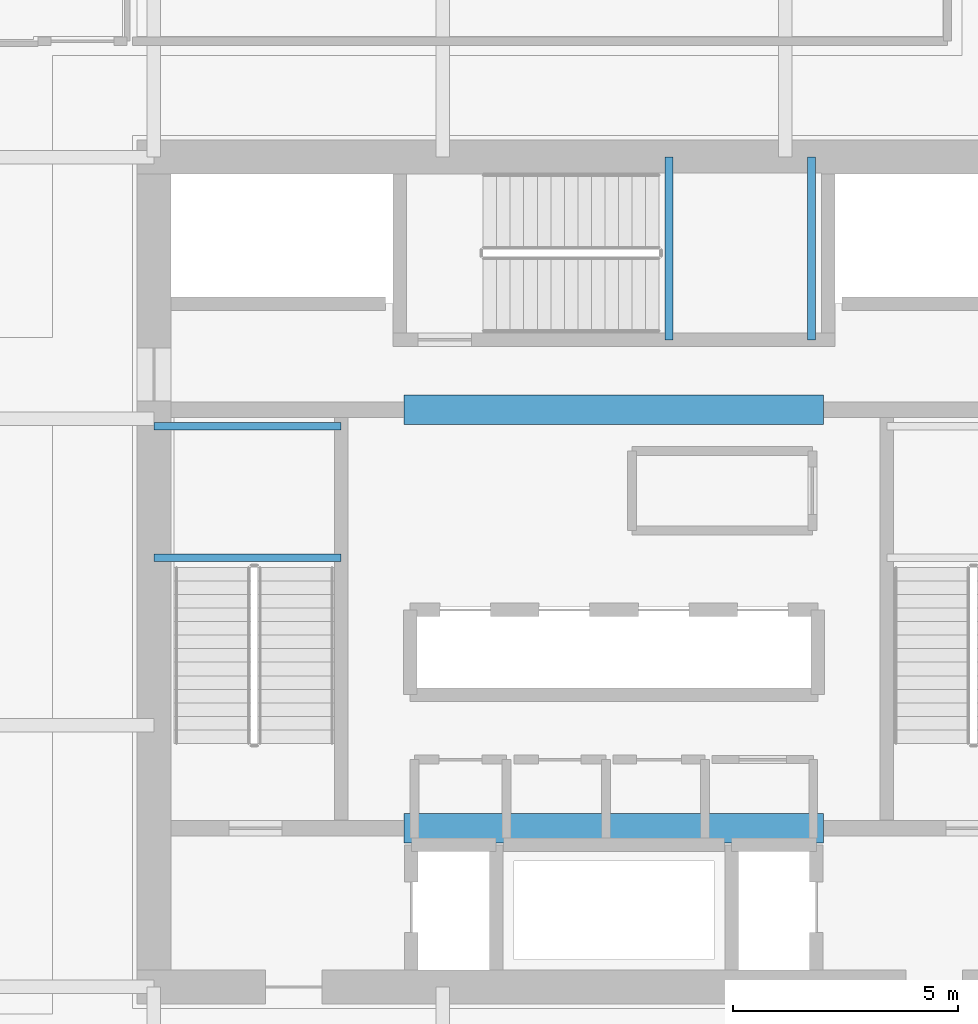
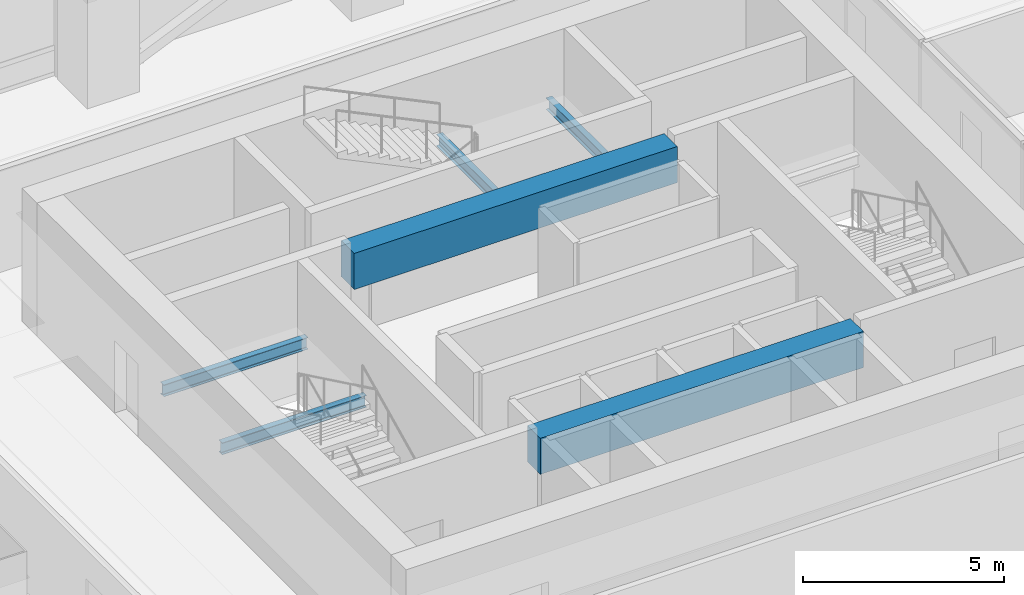
# One storey, part 11 of 37: 6 beams.
"""IFC4 building model written with IfcOpenShell, lengths in metres."""

from ifc_helpers import new_model, si_unit, direction, frame, origin, origin_2d, place, context, subcontext, project, spatial, rectangle, i_section, extrude, material, material_profile, profile_set, type_object, element, save


model = new_model("IFC4")

# Units and contexts
model_context = context("Model", 3, precision=1e-05, world=origin(), true_north=direction((0.0, 1.0)))
body_context = subcontext(model_context, "Body", "Model", "MODEL_VIEW")
ifc_project = project(units=[si_unit("LENGTHUNIT", "METRE"), si_unit("AREAUNIT", "SQUARE_METRE"), si_unit("VOLUMEUNIT", "CUBIC_METRE"), si_unit("PLANEANGLEUNIT", "RADIAN"), si_unit("MASSUNIT", "GRAM", prefix="KILO")], contexts=[model_context])

# Site, building, storey
site_placement = place(None, origin())
site = spatial("IfcSite", under=ifc_project, at=site_placement, CompositionType="ELEMENT")
building_placement = place(site_placement, origin())
building = spatial("IfcBuilding", under=site, at=building_placement, Name="Punatoya Terracotta Tower", CompositionType="ELEMENT")
storey_placement = place(building_placement, frame((0.0, 0.0, 44.39990234375)))
storey = spatial("IfcBuildingStorey", under=building, at=storey_placement, Name="L09", CompositionType="ELEMENT", Elevation=44.39990234375)

# Beams
ifc_material_1 = material(Name="Concrete C60/75", Category="concrete")
ifc_material_profile_1 = material_profile(ifc_material_1, rectangle(XDim=0.64990234375, YDim=1.10009765625, at=origin_2d()))
ifc_profile_set_1 = profile_set([ifc_material_profile_1], Name="Concrete C60/75")
beam_type_1 = type_object("IfcBeamType", Name="BM-RC-1100", PredefinedType="LINTEL", material=ifc_profile_set_1)
for number, where, z_axis, x_axis, name in (
    (1, (-4.64990234375, -5.679931640625, 3.260009765625), (1.0, 0.0, 0.0), (0.0, 1.0, 0.0), "L09 Core Coupling Lintel CSW"),
    (2, (-4.64990234375, 3.60009765625, 3.260009765625), (1.0, 0.0, 0.0), (0.0, 1.0, 0.0), "L09 Core Coupling Lintel CNW"),
):
    element("IfcBeam", number, at=place(storey_placement, frame(where, z_axis=z_axis, x_axis=x_axis)), inside=storey, type_object=beam_type_1, Name=name, PredefinedType="LINTEL", context=body_context, shape_type="SweptSolid", body=[
        extrude(rectangle(XDim=0.64990234375, YDim=1.10009765625, at=origin_2d()), origin(), (0.0, 0.0, 1.0), 9.2998046875),
    ])
ifc_material_2 = material(Name="Steel S355", Category="steel")
ifc_material_profile_2 = material_profile(ifc_material_2, i_section(OverallWidth=0.169921875, OverallDepth=0.360107421875, WebThickness=0.008056640625, FlangeThickness=0.0126953125, FilletRadius=0.01806640625, at=origin_2d()))
ifc_profile_set_2 = profile_set([ifc_material_profile_2], Name="Steel S355")
beam_type_2 = type_object("IfcBeamType", Name="BM-SEC-360", PredefinedType="JOIST", material=ifc_profile_set_2)
for number, where, z_axis, x_axis, name in (
    (3, (-10.199951171875, 0.320068359375, 1.64501953125), (1.0, 0.0, 0.0), (0.0, 1.0, 0.0), "BM-L09-ST-1-LD1A"),
    (4, (-10.199951171875, 3.22998046875, 1.64501953125), (1.0, 0.0, 0.0), (0.0, 1.0, 0.0), "BM-L09-ST-1-LD1B"),
):
    element("IfcBeam", number, at=place(storey_placement, frame(where, z_axis=z_axis, x_axis=x_axis)), inside=storey, type_object=beam_type_2, Name=name, PredefinedType="JOIST", context=body_context, shape_type="SweptSolid", body=[
        extrude(i_section(OverallWidth=0.169921875, OverallDepth=0.360107421875, WebThickness=0.008056640625, FlangeThickness=0.0126953125, FilletRadius=0.01806640625, at=origin_2d()), origin(), (0.0, 0.0, 1.0), 4.14990234375),
    ])
for number, where, z_axis, x_axis, name in (
    (5, (1.219970703125, 5.14990234375, 1.64501953125), (0.0, 1.0, 0.0), (-1.0, 0.0, 0.0), "BM-L09-ST-3-LD1A"),
    (6, (4.3798828125, 5.14990234375, 1.64501953125), (0.0, 1.0, 0.0), (-1.0, 0.0, 0.0), "BM-L09-ST-3-LD1B"),
):
    element("IfcBeam", number, at=place(storey_placement, frame(where, z_axis=z_axis, x_axis=x_axis)), inside=storey, type_object=beam_type_2, Name=name, PredefinedType="JOIST", context=body_context, shape_type="SweptSolid", body=[
        extrude(i_section(OverallWidth=0.169921875, OverallDepth=0.360107421875, WebThickness=0.008056640625, FlangeThickness=0.0126953125, FilletRadius=0.01806640625, at=origin_2d()), origin(), (0.0, 0.0, 1.0), 4.050048828125),
    ])

save(model, "model.ifc")
